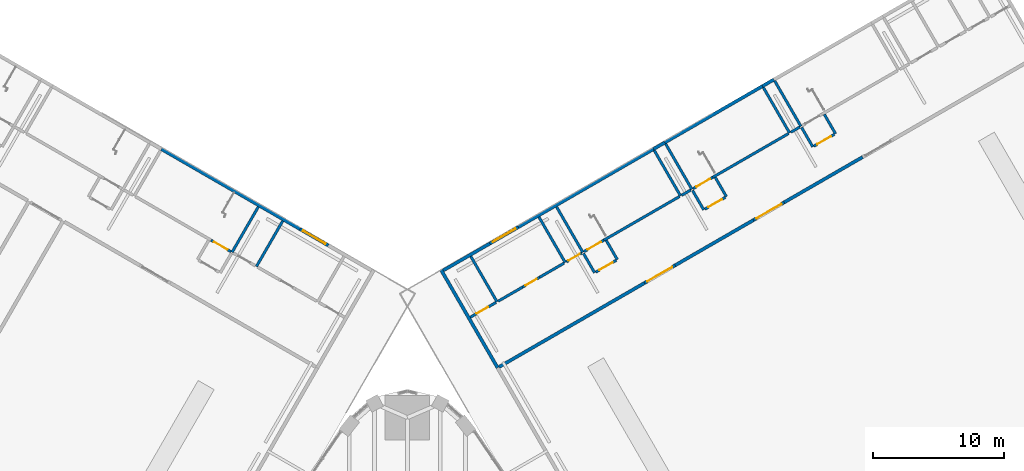
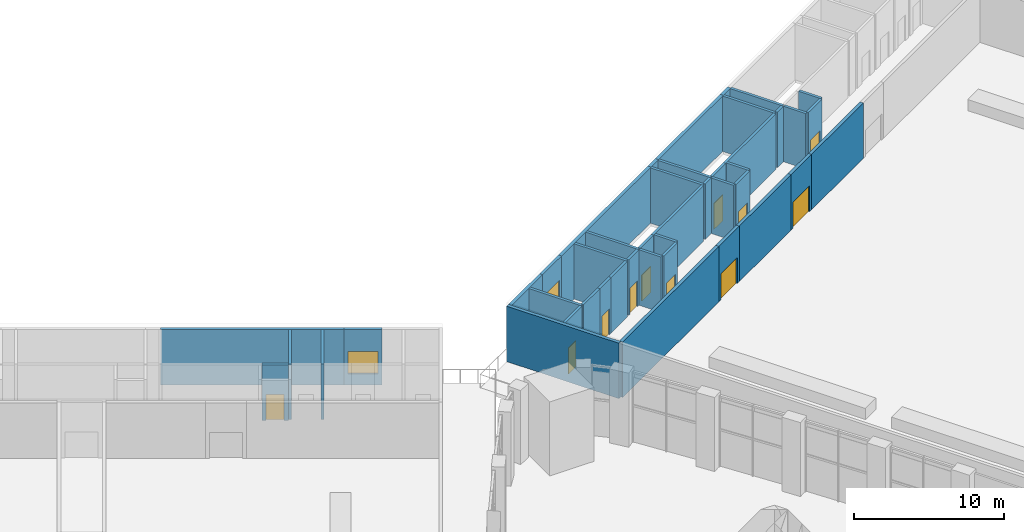
# One storey, part 31 of 41: 44 walls, 11 doors, 2 windows, 13 openings.
"""IFC4 building model written with IfcOpenShell, lengths in metres."""

from ifc_helpers import new_model, si_unit, direction, frame, frame_2d, origin, place, context, subcontext, project, spatial, rectangle, extrude, material, layer, layer_set, type_object, element, fill, save


model = new_model("IFC4")

# Units and contexts
model_context = context("Model", 3, precision=1e-05, world=origin(), true_north=direction((0.0, 1.0)))
body_context = subcontext(model_context, "Body", "Model", "MODEL_VIEW")
ifc_project = project(units=[si_unit("LENGTHUNIT", "METRE"), si_unit("AREAUNIT", "SQUARE_METRE"), si_unit("VOLUMEUNIT", "CUBIC_METRE"), si_unit("PLANEANGLEUNIT", "RADIAN"), si_unit("MASSUNIT", "GRAM", prefix="KILO")], contexts=[model_context])

# Site, building, storey
site_placement = place(None, origin())
site = spatial("IfcSite", under=ifc_project, at=site_placement, CompositionType="ELEMENT")
building_placement = place(site_placement, origin())
building = spatial("IfcBuilding", under=site, at=building_placement, Name="Mestral Congress Tower", CompositionType="ELEMENT")
storey_placement = place(building_placement, frame((0.0, 0.0, 21.60009765625)))
storey = spatial("IfcBuildingStorey", under=building, at=storey_placement, Name="L04", CompositionType="ELEMENT", Elevation=21.60009765625)

# Walls
ifc_material_1 = material(Name="Precast concrete C40/50 with limestone facing", Category="masonry")
ifc_layer_1 = layer(ifc_material_1, 0.25)
ifc_layer_set_1 = layer_set([ifc_layer_1], Name="Precast concrete C40/50 with limestone facing")
wall_type_1 = type_object("IfcWallType", Name="Podium external wall 250 R 180 load-bearing to roof", PredefinedType="SOLIDWALL", material=ifc_layer_set_1)
wall_1_placement = place(storey_placement, frame((6.875, 40.197998046875, 0.0), z_axis=(0.0, 0.0, 1.0), x_axis=(-0.499999331568, 0.866025789703, 0.0)))
element("IfcWall", 1, at=wall_1_placement, inside=storey, type_object=wall_type_1, Name="L04 external wall", PredefinedType="SOLIDWALL", context=body_context, shape_type="SweptSolid", body=[
    extrude(rectangle(XDim=8.625, YDim=0.25, at=frame_2d((4.3125, 0.0))), origin(), (0.0, 0.0, 1.0), 4.5),
])
wall_2_placement = place(storey_placement, frame((6.9833984375, 40.260498046875, 0.0), z_axis=(0.0, 0.0, 1.0), x_axis=(0.866017240552, 0.500014138866, 0.0)))
element("IfcWall", 2, at=wall_2_placement, inside=storey, type_object=wall_type_1, Name="L04 external wall", PredefinedType="SOLIDWALL", context=body_context, shape_type="SweptSolid", body=[
    extrude(rectangle(XDim=12.800048828125, YDim=0.25, at=frame_2d((6.39990234375, 0.0))), origin(), (0.0, 0.0, 1.0), 4.5),
])

# Wall, opening, door
wall_3_placement = place(storey_placement, frame((20.40673828125, 48.010498046875, 0.0), z_axis=(0.0, 0.0, 1.0), x_axis=(-0.866059108428, -0.4999416173, 0.0)))
wall_3 = element("IfcWall", 3, at=wall_3_placement, inside=storey, type_object=wall_type_1, Name="L04 external wall", PredefinedType="SOLIDWALL", context=body_context, shape_type="SweptSolid", body=[
    extrude(rectangle(XDim=2.699951171875, YDim=0.25, at=frame_2d((1.35009765625, 0.0))), origin(), (0.0, 0.0, 1.0), 4.5),
])
opening_1_placement = place(wall_3_placement, frame((0.25, 0.0, 0.0)))
opening_1 = element("IfcOpeningElement", 4, at=opening_1_placement, cuts=wall_3, Name="Opening P04-004", PredefinedType="OPENING", context=body_context, shape_type="SweptSolid", body=[
    extrude(rectangle(XDim=2.199951171875, YDim=2.10009765625, at=frame_2d((1.10009765625, 1.050048828125))), frame((0.0, 0.135009765625, 0.0), z_axis=(0.0, -1.0, 0.0), x_axis=(1.0, 0.0, 0.0)), (0.0, 0.0, 1.0), 0.27001953125),
])
ifc_material_2 = material(Name="Steel and glass door set", Category="steel")
door_type_1 = type_object("IfcDoorType", Name="Podium entrance door 2200x2100", OperationType="DOUBLE_DOOR_SINGLE_SWING", PredefinedType="DOOR", material=ifc_material_2)
door_1_placement = place(opening_1_placement, origin())
door_1 = element("IfcDoor", 5, at=door_1_placement, inside=storey, type_object=door_type_1, Name="Door P04-004", OperationType="DOUBLE_DOOR_SINGLE_SWING", OverallHeight=2.10009765625, OverallWidth=2.199951171875, PredefinedType="DOOR", context=body_context, shape_type="SweptSolid", body=[
    extrude(rectangle(XDim=2.199951171875, YDim=2.10009765625, at=frame_2d((1.10009765625, 1.050048828125))), frame((0.0, 0.02490234375, 0.0), z_axis=(0.0, -1.0, 0.0), x_axis=(1.0, 0.0, 0.0)), (0.0, 0.0, 1.0), 0.050048828125),
])
fill(opening_1, door_1)

# Wall
wall_4_placement = place(storey_placement, frame((20.40673828125, 48.010498046875, 0.0), z_axis=(0.0, 0.0, 1.0), x_axis=(0.866013532718, 0.500020560727, 0.0)))
element("IfcWall", 6, at=wall_4_placement, inside=storey, type_object=wall_type_1, Name="L04 external wall", PredefinedType="SOLIDWALL", context=body_context, shape_type="SweptSolid", body=[
    extrude(rectangle(XDim=6.900146484375, YDim=0.25, at=frame_2d((3.4501953125, 0.0))), origin(), (0.0, 0.0, 1.0), 4.5),
])

# Wall, opening, door
wall_5_placement = place(storey_placement, frame((28.720458984375, 52.810546875, 0.0), z_axis=(0.0, 0.0, 1.0), x_axis=(-0.866036505625, -0.499980770555, 0.0)))
wall_5 = element("IfcWall", 7, at=wall_5_placement, inside=storey, type_object=wall_type_1, Name="L04 external wall", PredefinedType="SOLIDWALL", context=body_context, shape_type="SweptSolid", body=[
    extrude(rectangle(XDim=2.69970703125, YDim=0.25, at=frame_2d((1.349853515625, 0.0))), origin(), (0.0, 0.0, 1.0), 4.5),
])
opening_2_placement = place(wall_5_placement, frame((0.25, 0.0, 0.0)))
opening_2 = element("IfcOpeningElement", 8, at=opening_2_placement, cuts=wall_5, Name="Opening P04-005", PredefinedType="OPENING", context=body_context, shape_type="SweptSolid", body=[
    extrude(rectangle(XDim=2.199951171875, YDim=2.10009765625, at=frame_2d((1.10009765625, 1.050048828125))), frame((0.0, 0.135009765625, 0.0), z_axis=(0.0, -1.0, 0.0), x_axis=(1.0, 0.0, 0.0)), (0.0, 0.0, 1.0), 0.27001953125),
])
door_2_placement = place(opening_2_placement, origin())
door_2 = element("IfcDoor", 9, at=door_2_placement, inside=storey, type_object=door_type_1, Name="Door P04-005", OperationType="DOUBLE_DOOR_SINGLE_SWING", OverallHeight=2.10009765625, OverallWidth=2.199951171875, PredefinedType="DOOR", context=body_context, shape_type="SweptSolid", body=[
    extrude(rectangle(XDim=2.199951171875, YDim=2.10009765625, at=frame_2d((1.10009765625, 1.050048828125))), frame((0.0, 0.02490234375, 0.0), z_axis=(0.0, -1.0, 0.0), x_axis=(1.0, 0.0, 0.0)), (0.0, 0.0, 1.0), 0.050048828125),
])
fill(opening_2, door_2)

# Walls
wall_6_placement = place(storey_placement, frame((28.720458984375, 52.810546875, 0.0), z_axis=(0.0, 0.0, 1.0), x_axis=(0.866028853923, 0.499994024137, 0.0)))
element("IfcWall", 10, at=wall_6_placement, inside=storey, type_object=wall_type_1, Name="L04 external wall", PredefinedType="SOLIDWALL", context=body_context, shape_type="SweptSolid", body=[
    extrude(rectangle(XDim=6.89990234375, YDim=0.25, at=frame_2d((3.449951171875, 0.0))), origin(), (0.0, 0.0, 1.0), 4.5),
])
wall_7_placement = place(storey_placement, frame((2.7333984375, 47.621826171875, 0.0), z_axis=(0.0, 0.0, 1.0), x_axis=(0.866010060309, 0.500026574738, 0.0)))
element("IfcWall", 11, at=wall_7_placement, inside=storey, type_object=wall_type_1, Name="L04 external wall", PredefinedType="SOLIDWALL", context=body_context, shape_type="SweptSolid", body=[
    extrude(rectangle(XDim=4.099853515625, YDim=0.25, at=frame_2d((2.0498046875, 0.0))), origin(), (0.0, 0.0, 1.0), 4.5),
])

# Wall, opening, window
wall_8_placement = place(storey_placement, frame((6.283935546875, 49.671875, 0.0), z_axis=(0.0, 0.0, 1.0), x_axis=(0.866047370643, 0.499961950354, 0.0)))
wall_8 = element("IfcWall", 12, at=wall_8_placement, inside=storey, type_object=wall_type_1, Name="L04 external wall", PredefinedType="SOLIDWALL", context=body_context, shape_type="SweptSolid", body=[
    extrude(rectangle(XDim=2.500244140625, YDim=0.25, at=frame_2d((1.25, 0.0))), origin(), (0.0, 0.0, 1.0), 4.5),
])
opening_3_placement = place(wall_8_placement, frame((0.25, 0.0, 0.89990234375)))
opening_3 = element("IfcOpeningElement", 13, at=opening_3_placement, cuts=wall_8, Name="Opening PW-2000x1800", PredefinedType="OPENING", context=body_context, shape_type="SweptSolid", body=[
    extrude(rectangle(XDim=2.0, YDim=1.800048828125, at=frame_2d((1.0, 0.89990234375))), frame((0.0, 0.135009765625, 0.0), z_axis=(0.0, -1.0, 0.0), x_axis=(1.0, 0.0, 0.0)), (0.0, 0.0, 1.0), 0.27001953125),
])
ifc_material_3 = material(Name="Aluminium frame, clear double glazing", Category="aluminium")
window_type = type_object("IfcWindowType", Name="Podium window 2000x1800 sill 900", PartitioningType="SINGLE_PANEL", PredefinedType="WINDOW", material=ifc_material_3)
window_1_placement = place(opening_3_placement, origin())
window_1 = element("IfcWindow", 14, at=window_1_placement, inside=storey, type_object=window_type, Name="Window", OverallHeight=1.800048828125, OverallWidth=2.0, PartitioningType="SINGLE_PANEL", PredefinedType="WINDOW", context=body_context, shape_type="SweptSolid", body=[
    extrude(rectangle(XDim=2.0, YDim=1.800048828125, at=frame_2d((1.0, 0.89990234375))), frame((0.0, 0.030029296875, 0.0), z_axis=(0.0, -1.0, 0.0), x_axis=(1.0, 0.0, 0.0)), (0.0, 0.0, 1.0), 0.06005859375),
])
fill(opening_3, window_1)

# Walls
wall_9_placement = place(storey_placement, frame((8.44921875, 50.921875, 0.0), z_axis=(0.0, 0.0, 1.0), x_axis=(0.866026377112, 0.499998314143, 0.0)))
element("IfcWall", 15, at=wall_9_placement, inside=storey, type_object=wall_type_1, Name="L04 external wall", PredefinedType="SOLIDWALL", context=body_context, shape_type="SweptSolid", body=[
    extrude(rectangle(XDim=11.89990234375, YDim=0.25, at=frame_2d((5.949951171875, 0.0))), origin(), (0.0, 0.0, 1.0), 4.5),
])
wall_10_placement = place(storey_placement, frame((19.620849609375, 57.371826171875, 0.0), z_axis=(0.0, 0.0, 1.0), x_axis=(0.866021068297, 0.500007509209, 0.0)))
element("IfcWall", 16, at=wall_10_placement, inside=storey, type_object=wall_type_1, Name="L04 external wall", PredefinedType="SOLIDWALL", context=body_context, shape_type="SweptSolid", body=[
    extrude(rectangle(XDim=8.599853515625, YDim=0.25, at=frame_2d((4.2998046875, 0.0))), origin(), (0.0, 0.0, 1.0), 4.5),
])
for number, where, z_axis, x_axis, name in (
    (17, (18.7548828125, 56.871826171875, 0.0), (0.0, 0.0, 1.0), (0.866010750942, 0.50002537861, 0.0), "L04 external wall"),
    (18, (27.068603515625, 61.671875, 0.0), (0.0, 0.0, 1.0), (0.866010750942, 0.50002537861, 0.0), "L04 external wall"),
):
    element("IfcWall", number, at=place(storey_placement, frame(where, z_axis=z_axis, x_axis=x_axis)), inside=storey, type_object=wall_type_1, Name=name, PredefinedType="SOLIDWALL", context=body_context, shape_type="SweptSolid", body=[
        extrude(rectangle(XDim=1.0, YDim=0.25, at=frame_2d((0.5, 0.0))), origin(), (0.0, 0.0, 1.0), 4.5),
    ])

# Wall, opening, window
wall_11_placement = place(storey_placement, frame((-8.189208984375, 50.771728515625, 0.0), z_axis=(0.0, 0.0, 1.0), x_axis=(0.866022959057, -0.500004234368, 0.0)))
wall_11 = element("IfcWall", 19, at=wall_11_placement, inside=storey, type_object=wall_type_1, Name="L04 external wall", PredefinedType="SOLIDWALL", context=body_context, shape_type="SweptSolid", body=[
    extrude(rectangle(XDim=2.5, YDim=0.25, at=frame_2d((1.25, 0.0))), origin(), (0.0, 0.0, 1.0), 4.5),
])
opening_4_placement = place(wall_11_placement, frame((0.25, 0.0, 0.89990234375)))
opening_4 = element("IfcOpeningElement", 20, at=opening_4_placement, cuts=wall_11, Name="Opening PW-2000x1800", PredefinedType="OPENING", context=body_context, shape_type="SweptSolid", body=[
    extrude(rectangle(XDim=2.0, YDim=1.800048828125, at=frame_2d((1.0, 0.89990234375))), frame((0.0, 0.135009765625, 0.0), z_axis=(0.0, -1.0, 0.0), x_axis=(1.0, 0.0, 0.0)), (0.0, 0.0, 1.0), 0.27001953125),
])
window_2_placement = place(opening_4_placement, origin())
window_2 = element("IfcWindow", 21, at=window_2_placement, inside=storey, type_object=window_type, Name="Window", OverallHeight=1.800048828125, OverallWidth=2.0, PartitioningType="SINGLE_PANEL", PredefinedType="WINDOW", context=body_context, shape_type="SweptSolid", body=[
    extrude(rectangle(XDim=2.0, YDim=1.800048828125, at=frame_2d((1.0, 0.89990234375))), frame((0.0, 0.030029296875, 0.0), z_axis=(0.0, -1.0, 0.0), x_axis=(1.0, 0.0, 0.0)), (0.0, 0.0, 1.0), 0.06005859375),
])
fill(opening_4, window_2)

# Walls
wall_12_placement = place(storey_placement, frame((-18.7548828125, 56.87158203125, 0.0), z_axis=(0.0, 0.0, 1.0), x_axis=(0.866033961403, -0.499985177477, 0.0)))
element("IfcWall", 22, at=wall_12_placement, inside=storey, type_object=wall_type_1, Name="L04 external wall", PredefinedType="SOLIDWALL", context=body_context, shape_type="SweptSolid", body=[
    extrude(rectangle(XDim=12.199951171875, YDim=0.25, at=frame_2d((6.10009765625, 0.0))), origin(), (0.0, 0.0, 1.0), 4.5),
])
ifc_material_4 = material(Name="Masonry block wall", Category="masonry")
ifc_layer_2 = layer(ifc_material_4, 0.199951171875)
ifc_layer_set_2 = layer_set([ifc_layer_2], Name="Masonry block wall")
wall_type_2 = type_object("IfcWallType", Name="Podium stair enclosure wall 200 EI 120 load-bearing", PredefinedType="SOLIDWALL", material=ifc_layer_set_2)
wall_13_placement = place(storey_placement, frame((13.369384765625, 48.99951171875, 0.0), z_axis=(0.0, 0.0, 1.0), x_axis=(-0.50002537861, 0.866010750942, 0.0)))
element("IfcWall", 23, at=wall_13_placement, inside=storey, type_object=wall_type_2, Name="L04 partition", PredefinedType="SOLIDWALL", context=body_context, shape_type="SweptSolid", body=[
    extrude(rectangle(XDim=3.999755859375, YDim=0.199951171875, at=frame_2d((2.0, 0.0))), origin(), (0.0, 0.0, 1.0), 4.5),
])
for number, where, z_axis, x_axis, name in (
    (24, (20.8173828125, 53.29931640625, 0.0), (0.0, 0.0, 1.0), (-0.49999894854, 0.866026010844, 0.0), "L04 partition"),
    (25, (21.683349609375, 53.79931640625, 0.0), (0.0, 0.0, 1.0), (-0.49999894854, 0.866026010844, 0.0), "L04 partition"),
    (26, (29.131103515625, 58.099365234375, 0.0), (0.0, 0.0, 1.0), (-0.49999894854, 0.866026010844, 0.0), "L04 partition"),
    (27, (29.9970703125, 58.599365234375, 0.0), (0.0, 0.0, 1.0), (-0.49999894854, 0.866026010844, 0.0), "L04 partition"),
):
    element("IfcWall", number, at=place(storey_placement, frame(where, z_axis=z_axis, x_axis=x_axis)), inside=storey, type_object=wall_type_2, Name=name, PredefinedType="SOLIDWALL", context=body_context, shape_type="SweptSolid", body=[
        extrude(rectangle(XDim=4.0, YDim=0.199951171875, at=frame_2d((2.0, 0.0))), origin(), (0.0, 0.0, 1.0), 4.5),
    ])

# Wall, opening, door
wall_14_placement = place(storey_placement, frame((13.4560546875, 49.04931640625, 0.0), z_axis=(0.0, 0.0, 1.0), x_axis=(0.866036909293, 0.499980071345, 0.0)))
wall_14 = element("IfcWall", 28, at=wall_14_placement, inside=storey, type_object=wall_type_2, Name="L04 partition", PredefinedType="SOLIDWALL", context=body_context, shape_type="SweptSolid", body=[
    extrude(rectangle(XDim=1.75, YDim=0.199951171875, at=frame_2d((0.875, 0.0))), origin(), (0.0, 0.0, 1.0), 4.5),
])
opening_5_placement = place(wall_14_placement, frame((0.300048828125, 0.0, 0.0)))
opening_5 = element("IfcOpeningElement", 29, at=opening_5_placement, cuts=wall_14, Name="Opening P04-010", PredefinedType="OPENING", context=body_context, shape_type="SweptSolid", body=[
    extrude(rectangle(XDim=1.199951171875, YDim=2.10009765625, at=frame_2d((0.60009765625, 1.050048828125))), frame((0.0, 0.10986328125, 0.0), z_axis=(0.0, -1.0, 0.0), x_axis=(1.0, 0.0, 0.0)), (0.0, 0.0, 1.0), 0.219970703125),
])
ifc_material_5 = material(Name="Fire-rated steel door set", Category="steel")
door_type_2 = type_object("IfcDoorType", Name="Podium stair door 1200x2100 EI2 30-C5", OperationType="SINGLE_SWING_LEFT", PredefinedType="DOOR", material=ifc_material_5)
door_3_placement = place(opening_5_placement, origin())
door_3 = element("IfcDoor", 30, at=door_3_placement, inside=storey, type_object=door_type_2, Name="Door P04-010", OperationType="SINGLE_SWING_LEFT", OverallHeight=2.10009765625, OverallWidth=1.199951171875, PredefinedType="DOOR", context=body_context, shape_type="SweptSolid", body=[
    extrude(rectangle(XDim=1.199951171875, YDim=2.10009765625, at=frame_2d((0.60009765625, 1.050048828125))), frame((0.0, 0.02490234375, 0.0), z_axis=(0.0, -1.0, 0.0), x_axis=(1.0, 0.0, 0.0)), (0.0, 0.0, 1.0), 0.050048828125),
])
fill(opening_5, door_3)

# Wall
wall_15_placement = place(storey_placement, frame((14.9716796875, 49.92431640625, 0.0), z_axis=(0.0, 0.0, 1.0), x_axis=(0.86601134256, 0.500024353964, 0.0)))
element("IfcWall", 31, at=wall_15_placement, inside=storey, type_object=wall_type_2, Name="L04 partition", PredefinedType="SOLIDWALL", context=body_context, shape_type="SweptSolid", body=[
    extrude(rectangle(XDim=6.650146484375, YDim=0.199951171875, at=frame_2d((3.3251953125, 0.0))), origin(), (0.0, 0.0, 1.0), 4.5),
])

# Wall, opening, door
wall_16_placement = place(storey_placement, frame((21.77001953125, 53.849365234375, 0.0), z_axis=(0.0, 0.0, 1.0), x_axis=(0.866002029911, 0.500040482552, 0.0)))
wall_16 = element("IfcWall", 32, at=wall_16_placement, inside=storey, type_object=wall_type_2, Name="L04 partition", PredefinedType="SOLIDWALL", context=body_context, shape_type="SweptSolid", body=[
    extrude(rectangle(XDim=1.749755859375, YDim=0.199951171875, at=frame_2d((0.875, 0.0))), origin(), (0.0, 0.0, 1.0), 4.5),
])
opening_6_placement = place(wall_16_placement, frame((0.300048828125, 0.0, 0.0)))
opening_6 = element("IfcOpeningElement", 33, at=opening_6_placement, cuts=wall_16, Name="Opening P04-011", PredefinedType="OPENING", context=body_context, shape_type="SweptSolid", body=[
    extrude(rectangle(XDim=1.199951171875, YDim=2.10009765625, at=frame_2d((0.60009765625, 1.050048828125))), frame((0.0, 0.10986328125, 0.0), z_axis=(0.0, -1.0, 0.0), x_axis=(1.0, 0.0, 0.0)), (0.0, 0.0, 1.0), 0.219970703125),
])
door_4_placement = place(opening_6_placement, origin())
door_4 = element("IfcDoor", 34, at=door_4_placement, inside=storey, type_object=door_type_2, Name="Door P04-011", OperationType="SINGLE_SWING_LEFT", OverallHeight=2.10009765625, OverallWidth=1.199951171875, PredefinedType="DOOR", context=body_context, shape_type="SweptSolid", body=[
    extrude(rectangle(XDim=1.199951171875, YDim=2.10009765625, at=frame_2d((0.60009765625, 1.050048828125))), frame((0.0, 0.02490234375, 0.0), z_axis=(0.0, -1.0, 0.0), x_axis=(1.0, 0.0, 0.0)), (0.0, 0.0, 1.0), 0.050048828125),
])
fill(opening_6, door_4)

# Walls
wall_17_placement = place(storey_placement, frame((23.285400390625, 54.724365234375, 0.0), z_axis=(0.0, 0.0, 1.0), x_axis=(0.866027239912, 0.49999681972, 0.0)))
element("IfcWall", 35, at=wall_17_placement, inside=storey, type_object=wall_type_2, Name="L04 partition", PredefinedType="SOLIDWALL", context=body_context, shape_type="SweptSolid", body=[
    extrude(rectangle(XDim=6.64990234375, YDim=0.199951171875, at=frame_2d((3.324951171875, 0.0))), origin(), (0.0, 0.0, 1.0), 4.5),
])
wall_18_placement = place(storey_placement, frame((-11.369384765625, 52.46337890625, 0.0), z_axis=(0.0, 0.0, 1.0), x_axis=(-0.50002537861, -0.866010750942, 0.0)))
element("IfcWall", 36, at=wall_18_placement, inside=storey, type_object=wall_type_2, Name="L04 partition", PredefinedType="SOLIDWALL", context=body_context, shape_type="SweptSolid", body=[
    extrude(rectangle(XDim=3.999755859375, YDim=0.199951171875, at=frame_2d((2.0, 0.0))), origin(), (0.0, 0.0, 1.0), 4.5),
])

# Wall, opening, door
wall_19_placement = place(storey_placement, frame((-14.9716796875, 49.92431640625, 0.0), z_axis=(0.0, 0.0, 1.0), x_axis=(0.866036909293, -0.499980071345, 0.0)))
wall_19 = element("IfcWall", 37, at=wall_19_placement, inside=storey, type_object=wall_type_2, Name="L04 partition", PredefinedType="SOLIDWALL", context=body_context, shape_type="SweptSolid", body=[
    extrude(rectangle(XDim=1.75, YDim=0.199951171875, at=frame_2d((0.875, 0.0))), origin(), (0.0, 0.0, 1.0), 4.5),
])
opening_7_placement = place(wall_19_placement, frame((0.25, 0.0, 0.0)))
opening_7 = element("IfcOpeningElement", 38, at=opening_7_placement, cuts=wall_19, Name="Opening P04-308", PredefinedType="OPENING", context=body_context, shape_type="SweptSolid", body=[
    extrude(rectangle(XDim=1.199951171875, YDim=2.10009765625, at=frame_2d((0.60009765625, 1.050048828125))), frame((0.0, 0.10986328125, 0.0), z_axis=(0.0, -1.0, 0.0), x_axis=(1.0, 0.0, 0.0)), (0.0, 0.0, 1.0), 0.219970703125),
])
door_5_placement = place(opening_7_placement, origin())
door_5 = element("IfcDoor", 39, at=door_5_placement, inside=storey, type_object=door_type_2, Name="Door P04-308", OperationType="SINGLE_SWING_LEFT", OverallHeight=2.10009765625, OverallWidth=1.199951171875, PredefinedType="DOOR", context=body_context, shape_type="SweptSolid", body=[
    extrude(rectangle(XDim=1.199951171875, YDim=2.10009765625, at=frame_2d((0.60009765625, 1.050048828125))), frame((0.0, 0.02490234375, 0.0), z_axis=(0.0, -1.0, 0.0), x_axis=(1.0, 0.0, 0.0)), (0.0, 0.0, 1.0), 0.050048828125),
])
fill(opening_7, door_5)

# Walls
ifc_material_6 = material(Name="Fire-rated board partition")
ifc_layer_3 = layer(ifc_material_6, 0.199951171875)
ifc_layer_set_3 = layer_set([ifc_layer_3], Name="Fire-rated board partition")
wall_type_3 = type_object("IfcWallType", Name="Podium vestibule wall 200 EI 120", PredefinedType="PARTITIONING", material=ifc_layer_set_3)
for number, where, z_axis, x_axis, name in (
    (40, (14.26953125, 47.440673828125, 0.0), (0.0, 0.0, 1.0), (-0.500062241894, 0.865989465428, 0.0), "L04 partition"),
    (41, (16.00146484375, 48.440673828125, 0.0), (0.0, 0.0, 1.0), (-0.499954529098, 0.86605165483, 0.0), "L04 partition"),
    (42, (22.583251953125, 52.240478515625, 0.0), (0.0, 0.0, 1.0), (-0.499892348375, 0.866087547558, 0.0), "L04 partition"),
):
    element("IfcWall", number, at=place(storey_placement, frame(where, z_axis=z_axis, x_axis=x_axis)), inside=storey, type_object=wall_type_3, Name=name, PredefinedType="PARTITIONING", context=body_context, shape_type="SweptSolid", body=[
        extrude(rectangle(XDim=1.699951171875, YDim=0.199951171875, at=frame_2d((0.85009765625, 0.0))), origin(), (0.0, 0.0, 1.0), 4.5),
    ])
wall_20_placement = place(storey_placement, frame((24.3154296875, 53.240478515625, 0.0), z_axis=(0.0, 0.0, 1.0), x_axis=(-0.500000056704, 0.866025371046, 0.0)))
element("IfcWall", 43, at=wall_20_placement, inside=storey, type_object=wall_type_3, Name="L04 partition", PredefinedType="PARTITIONING", context=body_context, shape_type="SweptSolid", body=[
    extrude(rectangle(XDim=1.7001953125, YDim=0.199951171875, at=frame_2d((0.85009765625, 0.0))), origin(), (0.0, 0.0, 1.0), 4.5),
])
for number, where, z_axis, x_axis, name in (
    (44, (30.897216796875, 57.04052734375, 0.0), (0.0, 0.0, 1.0), (-0.500062241894, 0.865989465428, 0.0), "L04 partition"),
    (45, (32.629150390625, 58.04052734375, 0.0), (0.0, 0.0, 1.0), (-0.499954529098, 0.86605165483, 0.0), "L04 partition"),
):
    element("IfcWall", number, at=place(storey_placement, frame(where, z_axis=z_axis, x_axis=x_axis)), inside=storey, type_object=wall_type_3, Name=name, PredefinedType="PARTITIONING", context=body_context, shape_type="SweptSolid", body=[
        extrude(rectangle(XDim=1.699951171875, YDim=0.199951171875, at=frame_2d((0.85009765625, 0.0))), origin(), (0.0, 0.0, 1.0), 4.5),
    ])

# Wall, opening, door
wall_21_placement = place(storey_placement, frame((14.356201171875, 47.490478515625, 0.0), z_axis=(0.0, 0.0, 1.0), x_axis=(0.865955154139, 0.50012165622, 0.0)))
wall_21 = element("IfcWall", 46, at=wall_21_placement, inside=storey, type_object=wall_type_3, Name="L04 partition", PredefinedType="PARTITIONING", context=body_context, shape_type="SweptSolid", body=[
    extrude(rectangle(XDim=1.7998046875, YDim=0.199951171875, at=frame_2d((0.89990234375, 0.0))), origin(), (0.0, 0.0, 1.0), 4.5),
])
opening_8_placement = place(wall_21_placement, frame((0.300048828125, 0.0, 0.0)))
opening_8 = element("IfcOpeningElement", 47, at=opening_8_placement, cuts=wall_21, Name="Opening P04-020", PredefinedType="OPENING", context=body_context, shape_type="SweptSolid", body=[
    extrude(rectangle(XDim=1.199951171875, YDim=2.10009765625, at=frame_2d((0.60009765625, 1.050048828125))), frame((0.0, 0.10986328125, 0.0), z_axis=(0.0, -1.0, 0.0), x_axis=(1.0, 0.0, 0.0)), (0.0, 0.0, 1.0), 0.219970703125),
])
door_type_3 = type_object("IfcDoorType", Name="Podium vestibule door 1200x2100 EI2 30-C5", OperationType="SINGLE_SWING_LEFT", PredefinedType="DOOR", material=ifc_material_5)
door_6_placement = place(opening_8_placement, origin())
door_6 = element("IfcDoor", 48, at=door_6_placement, inside=storey, type_object=door_type_3, Name="Door P04-020", OperationType="SINGLE_SWING_LEFT", OverallHeight=2.10009765625, OverallWidth=1.199951171875, PredefinedType="DOOR", context=body_context, shape_type="SweptSolid", body=[
    extrude(rectangle(XDim=1.199951171875, YDim=2.10009765625, at=frame_2d((0.60009765625, 1.050048828125))), frame((0.0, 0.02490234375, 0.0), z_axis=(0.0, -1.0, 0.0), x_axis=(1.0, 0.0, 0.0)), (0.0, 0.0, 1.0), 0.050048828125),
])
fill(opening_8, door_6)

wall_22_placement = place(storey_placement, frame((22.669921875, 52.29052734375, 0.0), z_axis=(0.0, 0.0, 1.0), x_axis=(0.865989075817, 0.500062916607, 0.0)))
wall_22 = element("IfcWall", 49, at=wall_22_placement, inside=storey, type_object=wall_type_3, Name="L04 partition", PredefinedType="PARTITIONING", context=body_context, shape_type="SweptSolid", body=[
    extrude(rectangle(XDim=1.800048828125, YDim=0.199951171875, at=frame_2d((0.89990234375, 0.0))), origin(), (0.0, 0.0, 1.0), 4.5),
])
opening_9_placement = place(wall_22_placement, frame((0.300048828125, 0.0, 0.0)))
opening_9 = element("IfcOpeningElement", 50, at=opening_9_placement, cuts=wall_22, Name="Opening P04-021", PredefinedType="OPENING", context=body_context, shape_type="SweptSolid", body=[
    extrude(rectangle(XDim=1.199951171875, YDim=2.10009765625, at=frame_2d((0.60009765625, 1.050048828125))), frame((0.0, 0.10986328125, 0.0), z_axis=(0.0, -1.0, 0.0), x_axis=(1.0, 0.0, 0.0)), (0.0, 0.0, 1.0), 0.219970703125),
])
door_7_placement = place(opening_9_placement, origin())
door_7 = element("IfcDoor", 51, at=door_7_placement, inside=storey, type_object=door_type_3, Name="Door P04-021", OperationType="SINGLE_SWING_LEFT", OverallHeight=2.10009765625, OverallWidth=1.199951171875, PredefinedType="DOOR", context=body_context, shape_type="SweptSolid", body=[
    extrude(rectangle(XDim=1.199951171875, YDim=2.10009765625, at=frame_2d((0.60009765625, 1.050048828125))), frame((0.0, 0.02490234375, 0.0), z_axis=(0.0, -1.0, 0.0), x_axis=(1.0, 0.0, 0.0)), (0.0, 0.0, 1.0), 0.050048828125),
])
fill(opening_9, door_7)

wall_23_placement = place(storey_placement, frame((30.983642578125, 57.090576171875, 0.0), z_axis=(0.0, 0.0, 1.0), x_axis=(0.866047807691, 0.499961193289, 0.0)))
wall_23 = element("IfcWall", 52, at=wall_23_placement, inside=storey, type_object=wall_type_3, Name="L04 partition", PredefinedType="PARTITIONING", context=body_context, shape_type="SweptSolid", body=[
    extrude(rectangle(XDim=1.800048828125, YDim=0.199951171875, at=frame_2d((0.89990234375, 0.0))), origin(), (0.0, 0.0, 1.0), 4.5),
])
opening_10_placement = place(wall_23_placement, frame((0.300048828125, 0.0, 0.0)))
opening_10 = element("IfcOpeningElement", 53, at=opening_10_placement, cuts=wall_23, Name="Opening P04-022", PredefinedType="OPENING", context=body_context, shape_type="SweptSolid", body=[
    extrude(rectangle(XDim=1.199951171875, YDim=2.10009765625, at=frame_2d((0.60009765625, 1.050048828125))), frame((0.0, 0.10986328125, 0.0), z_axis=(0.0, -1.0, 0.0), x_axis=(1.0, 0.0, 0.0)), (0.0, 0.0, 1.0), 0.219970703125),
])
door_8_placement = place(opening_10_placement, origin())
door_8 = element("IfcDoor", 54, at=door_8_placement, inside=storey, type_object=door_type_3, Name="Door P04-022", OperationType="SINGLE_SWING_LEFT", OverallHeight=2.10009765625, OverallWidth=1.199951171875, PredefinedType="DOOR", context=body_context, shape_type="SweptSolid", body=[
    extrude(rectangle(XDim=1.199951171875, YDim=2.10009765625, at=frame_2d((0.60009765625, 1.050048828125))), frame((0.0, 0.02490234375, 0.0), z_axis=(0.0, -1.0, 0.0), x_axis=(1.0, 0.0, 0.0)), (0.0, 0.0, 1.0), 0.050048828125),
])
fill(opening_10, door_8)

# Wall
wall_24_placement = place(storey_placement, frame((6.8310546875, 45.224365234375, 0.0), z_axis=(0.0, 0.0, 1.0), x_axis=(-0.49999894854, 0.866026010844, 0.0)))
element("IfcWall", 55, at=wall_24_placement, inside=storey, type_object=wall_type_3, Name="L04 partition", PredefinedType="PARTITIONING", context=body_context, shape_type="SweptSolid", body=[
    extrude(rectangle(XDim=4.0, YDim=0.199951171875, at=frame_2d((2.0, 0.0))), origin(), (0.0, 0.0, 1.0), 4.5),
])

# Wall, opening, door
wall_25_placement = place(storey_placement, frame((4.7958984375, 44.04931640625, 0.0), z_axis=(0.0, 0.0, 1.0), x_axis=(0.866017533419, 0.500013631625, 0.0)))
wall_25 = element("IfcWall", 56, at=wall_25_placement, inside=storey, type_object=wall_type_3, Name="L04 partition", PredefinedType="PARTITIONING", context=body_context, shape_type="SweptSolid", body=[
    extrude(rectangle(XDim=2.25, YDim=0.199951171875, at=frame_2d((1.125, 0.0))), origin(), (0.0, 0.0, 1.0), 4.5),
])
opening_11_placement = place(wall_25_placement, frame((0.550048828125, 0.0, 0.0)))
opening_11 = element("IfcOpeningElement", 57, at=opening_11_placement, cuts=wall_25, Name="Opening P04-026", PredefinedType="OPENING", context=body_context, shape_type="SweptSolid", body=[
    extrude(rectangle(XDim=1.0, YDim=2.10009765625, at=frame_2d((0.5, 1.050048828125))), frame((0.0, 0.10986328125, 0.0), z_axis=(0.0, -1.0, 0.0), x_axis=(1.0, 0.0, 0.0)), (0.0, 0.0, 1.0), 0.219970703125),
])
door_type_4 = type_object("IfcDoorType", Name="Podium room door 1000x2100 EI2 30-C5", OperationType="SINGLE_SWING_LEFT", PredefinedType="DOOR", material=ifc_material_5)
door_9_placement = place(opening_11_placement, origin())
door_9 = element("IfcDoor", 58, at=door_9_placement, inside=storey, type_object=door_type_4, Name="Door P04-026", OperationType="SINGLE_SWING_LEFT", OverallHeight=2.10009765625, OverallWidth=1.0, PredefinedType="DOOR", context=body_context, shape_type="SweptSolid", body=[
    extrude(rectangle(XDim=1.0, YDim=2.10009765625, at=frame_2d((0.5, 1.050048828125))), frame((0.0, 0.02490234375, 0.0), z_axis=(0.0, -1.0, 0.0), x_axis=(1.0, 0.0, 0.0)), (0.0, 0.0, 1.0), 0.050048828125),
])
fill(opening_11, door_9)

# Walls
wall_26_placement = place(storey_placement, frame((12.027099609375, 48.224365234375, 0.0), z_axis=(0.0, 0.0, 1.0), x_axis=(-0.49999894854, 0.866026010844, 0.0)))
element("IfcWall", 59, at=wall_26_placement, inside=storey, type_object=wall_type_3, Name="L04 partition", PredefinedType="PARTITIONING", context=body_context, shape_type="SweptSolid", body=[
    extrude(rectangle(XDim=4.0, YDim=0.199951171875, at=frame_2d((2.0, 0.0))), origin(), (0.0, 0.0, 1.0), 4.5),
])
wall_27_placement = place(storey_placement, frame((6.91748046875, 45.2744140625, 0.0), z_axis=(0.0, 0.0, 1.0), x_axis=(0.866047553582, 0.499961633463, 0.0)))
element("IfcWall", 60, at=wall_27_placement, inside=storey, type_object=wall_type_3, Name="L04 partition", PredefinedType="PARTITIONING", context=body_context, shape_type="SweptSolid", body=[
    extrude(rectangle(XDim=2.150146484375, YDim=0.199951171875, at=frame_2d((1.0751953125, 0.0))), origin(), (0.0, 0.0, 1.0), 4.5),
])

# Wall, opening, door
wall_28_placement = place(storey_placement, frame((8.779541015625, 46.349365234375, 0.0), z_axis=(0.0, 0.0, 1.0), x_axis=(0.866031096941, 0.499990139034, 0.0)))
wall_28 = element("IfcWall", 61, at=wall_28_placement, inside=storey, type_object=wall_type_3, Name="L04 partition", PredefinedType="PARTITIONING", context=body_context, shape_type="SweptSolid", body=[
    extrude(rectangle(XDim=1.5, YDim=0.199951171875, at=frame_2d((0.75, 0.0))), origin(), (0.0, 0.0, 1.0), 4.5),
])
opening_12_placement = place(wall_28_placement, frame((0.25, 0.0, 0.0)))
opening_12 = element("IfcOpeningElement", 62, at=opening_12_placement, cuts=wall_28, Name="Opening P04-030", PredefinedType="OPENING", context=body_context, shape_type="SweptSolid", body=[
    extrude(rectangle(XDim=1.0, YDim=2.10009765625, at=frame_2d((0.5, 1.050048828125))), frame((0.0, 0.10986328125, 0.0), z_axis=(0.0, -1.0, 0.0), x_axis=(1.0, 0.0, 0.0)), (0.0, 0.0, 1.0), 0.219970703125),
])
door_10_placement = place(opening_12_placement, origin())
door_10 = element("IfcDoor", 63, at=door_10_placement, inside=storey, type_object=door_type_4, Name="Door P04-030", OperationType="SINGLE_SWING_LEFT", OverallHeight=2.10009765625, OverallWidth=1.0, PredefinedType="DOOR", context=body_context, shape_type="SweptSolid", body=[
    extrude(rectangle(XDim=1.0, YDim=2.10009765625, at=frame_2d((0.5, 1.050048828125))), frame((0.0, 0.02490234375, 0.0), z_axis=(0.0, -1.0, 0.0), x_axis=(1.0, 0.0, 0.0)), (0.0, 0.0, 1.0), 0.050048828125),
])
fill(opening_12, door_10)

# Wall
wall_29_placement = place(storey_placement, frame((10.07861328125, 47.099365234375, 0.0), z_axis=(0.0, 0.0, 1.0), x_axis=(0.866019166195, 0.500010803666, 0.0)))
element("IfcWall", 64, at=wall_29_placement, inside=storey, type_object=wall_type_3, Name="L04 partition", PredefinedType="PARTITIONING", context=body_context, shape_type="SweptSolid", body=[
    extrude(rectangle(XDim=2.14990234375, YDim=0.199951171875, at=frame_2d((1.074951171875, 0.0))), origin(), (0.0, 0.0, 1.0), 4.5),
])

# Wall, opening, door
wall_30_placement = place(storey_placement, frame((12.11376953125, 48.2744140625, 0.0), z_axis=(0.0, 0.0, 1.0), x_axis=(0.866019956843, 0.50000943426, 0.0)))
wall_30 = element("IfcWall", 65, at=wall_30_placement, inside=storey, type_object=wall_type_3, Name="L04 partition", PredefinedType="PARTITIONING", context=body_context, shape_type="SweptSolid", body=[
    extrude(rectangle(XDim=1.35009765625, YDim=0.199951171875, at=frame_2d((0.675048828125, 0.0))), origin(), (0.0, 0.0, 1.0), 4.5),
])
opening_13_placement = place(wall_30_placement, frame((0.175048828125, 0.0, 0.0)))
opening_13 = element("IfcOpeningElement", 66, at=opening_13_placement, cuts=wall_30, Name="Opening P04-031", PredefinedType="OPENING", context=body_context, shape_type="SweptSolid", body=[
    extrude(rectangle(XDim=1.0, YDim=2.10009765625, at=frame_2d((0.5, 1.050048828125))), frame((0.0, 0.10986328125, 0.0), z_axis=(0.0, -1.0, 0.0), x_axis=(1.0, 0.0, 0.0)), (0.0, 0.0, 1.0), 0.219970703125),
])
door_11_placement = place(opening_13_placement, origin())
door_11 = element("IfcDoor", 67, at=door_11_placement, inside=storey, type_object=door_type_4, Name="Door P04-031", OperationType="SINGLE_SWING_LEFT", OverallHeight=2.10009765625, OverallWidth=1.0, PredefinedType="DOOR", context=body_context, shape_type="SweptSolid", body=[
    extrude(rectangle(XDim=1.0, YDim=2.10009765625, at=frame_2d((0.5, 1.050048828125))), frame((0.0, 0.02490234375, 0.0), z_axis=(0.0, -1.0, 0.0), x_axis=(1.0, 0.0, 0.0)), (0.0, 0.0, 1.0), 0.050048828125),
])
fill(opening_13, door_11)

# Walls
wall_31_placement = place(storey_placement, frame((20.90380859375, 53.349365234375, 0.0), z_axis=(0.0, 0.0, 1.0), x_axis=(0.865961984968, 0.500109828528, 0.0)))
element("IfcWall", 68, at=wall_31_placement, inside=storey, type_object=wall_type_3, Name="L04 partition", PredefinedType="PARTITIONING", context=body_context, shape_type="SweptSolid", body=[
    extrude(rectangle(XDim=0.800048828125, YDim=0.199951171875, at=frame_2d((0.39990234375, 0.0))), origin(), (0.0, 0.0, 1.0), 4.5),
])
wall_32_placement = place(storey_placement, frame((29.2177734375, 58.1494140625, 0.0), z_axis=(0.0, 0.0, 1.0), x_axis=(0.866017831539, 0.500013115284, 0.0)))
element("IfcWall", 69, at=wall_32_placement, inside=storey, type_object=wall_type_3, Name="L04 partition", PredefinedType="PARTITIONING", context=body_context, shape_type="SweptSolid", body=[
    extrude(rectangle(XDim=0.7998046875, YDim=0.199951171875, at=frame_2d((0.39990234375, 0.0))), origin(), (0.0, 0.0, 1.0), 4.5),
])
wall_33_placement = place(storey_placement, frame((-9.507568359375, 51.388427734375, 0.0), z_axis=(0.0, 0.0, 1.0), x_axis=(-0.49999894854, -0.866026010844, 0.0)))
element("IfcWall", 70, at=wall_33_placement, inside=storey, type_object=wall_type_3, Name="L04 partition", PredefinedType="PARTITIONING", context=body_context, shape_type="SweptSolid", body=[
    extrude(rectangle(XDim=4.0, YDim=0.199951171875, at=frame_2d((2.0, 0.0))), origin(), (0.0, 0.0, 1.0), 4.5),
])

save(model, "model.ifc")
